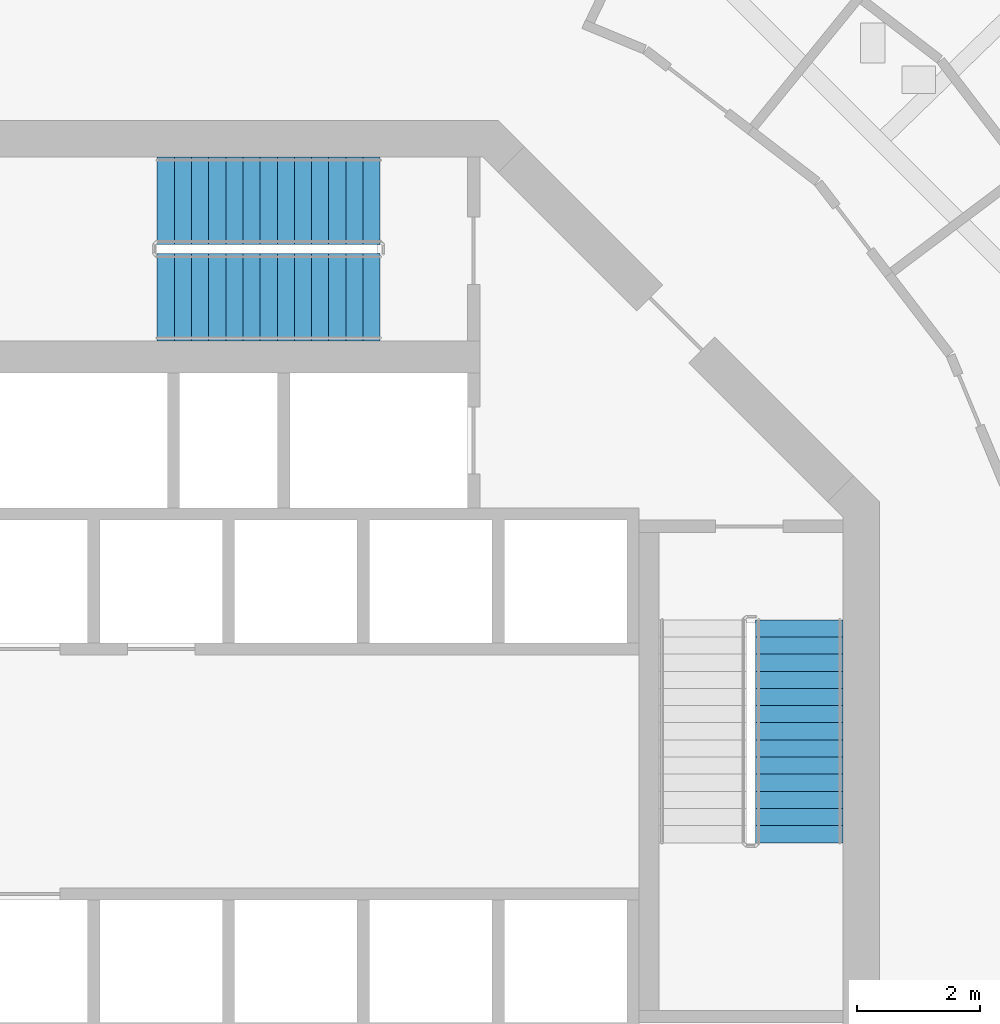
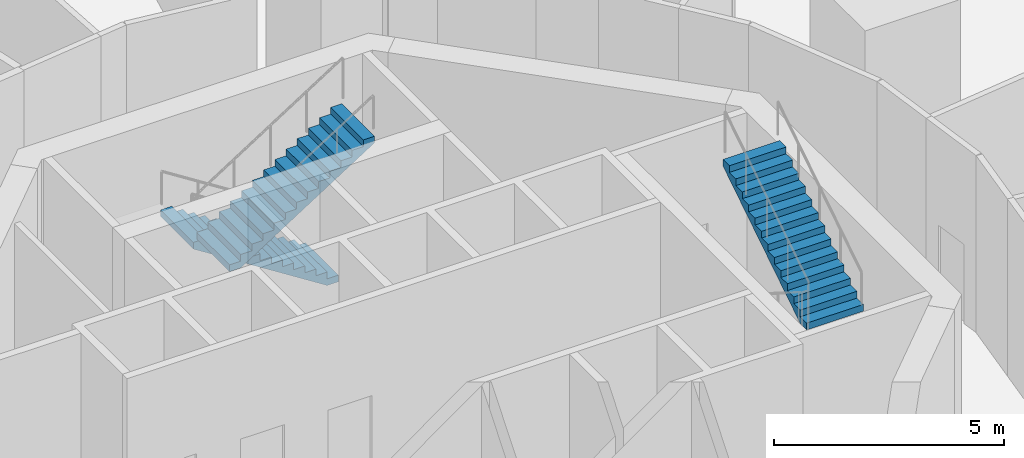
# One storey, part 45 of 48: 3 stair flights, 2 elements without a shape of their own.
"""IFC4 building model written with IfcOpenShell, lengths in metres."""

import ifcopenshell
import ifcopenshell.guid

model = None  # the IFC model being written
_history = None  # IfcOwnerHistory: only IFC2X3 demands one
_inside = {}  # id of a spatial element -> (the spatial element, [elements in it])
_under = {}  # id of a project, library or spatial element -> (it, [spatial elements below it])
_declared = {}  # id of a project -> (the project, [libraries it declares])
_typed = {}  # id of a type object -> (the type object, [elements of that type])
_made_of = {}  # id of a material, layer set ... -> (it, [elements and type objects made of it])


def new_model(schema):
    """Start an empty IFC model of exactly this schema.

    Asked for "IFC4X3", IfcOpenShell would pick the latest addendum, in which some entities
    have other attributes; the version numbers below select the first issue.
    IFC2X3 requires an IfcOwnerHistory on every rooted entity: one is made here for all.
    """
    global model, _history
    if schema == "IFC4X3":
        model = ifcopenshell.file(schema_version=(4, 3, 0, 0))
    else:
        model = ifcopenshell.file(schema=schema)
    _inside.clear()
    _under.clear()
    _declared.clear()
    _typed.clear()
    _made_of.clear()
    _history = None
    if model.schema == "IFC2X3":
        org = make("IfcOrganization", Name="unknown")
        user = make(
            "IfcPersonAndOrganization",
            ThePerson=make("IfcPerson", FamilyName="unknown"),
            TheOrganization=org,
        )
        app = make(
            "IfcApplication",
            ApplicationDeveloper=org,
            Version="unknown",
            ApplicationFullName="unknown",
            ApplicationIdentifier="unknown",
        )
        _history = make(
            "IfcOwnerHistory",
            OwningUser=user,
            OwningApplication=app,
            ChangeAction="ADDED",
            CreationDate=0,
        )
    return model


def make(cls, **values):
    """One entity of the class cls with the attributes given. An attribute that is None is left unset."""
    return model.create_entity(
        cls, **{name: value for name, value in values.items() if value is not None}
    )


def rooted(cls, **values):
    """An entity with a GlobalId (a new one), such as an element, a storey or a relation."""
    return make(cls, GlobalId=ifcopenshell.guid.new(), OwnerHistory=_history, **values)


def si_unit(unit_type, name, prefix=None):
    """IfcSIUnit, for example si_unit("LENGTHUNIT", "METRE", prefix="MILLI")."""
    return make("IfcSIUnit", UnitType=unit_type, Prefix=prefix, Name=name)


def assignment(units):
    """IfcUnitAssignment: the units of a project."""
    return None if units is None else make("IfcUnitAssignment", Units=units)


def point(xyz):
    """IfcCartesianPoint."""
    return None if xyz is None else make("IfcCartesianPoint", Coordinates=xyz)


def direction(xyz):
    """IfcDirection."""
    return None if xyz is None else make("IfcDirection", DirectionRatios=xyz)


def frame(location, z_axis=None, x_axis=None):
    """IfcAxis2Placement3D, a coordinate frame: its origin and axes. An axis left out is left unset."""
    return make(
        "IfcAxis2Placement3D",
        Location=point(location),
        Axis=direction(z_axis),
        RefDirection=direction(x_axis),
    )


def origin():
    """The frame at (0, 0, 0) with its axes left unset."""
    return frame((0.0, 0.0, 0.0))


def place(relative_to, where):
    """IfcLocalPlacement: puts the frame where relative to a parent placement (None: the world)."""
    return make(
        "IfcLocalPlacement", PlacementRelTo=relative_to, RelativePlacement=where
    )


def context(
    kind, dimensions, precision=None, world=None, true_north=None, identifier=None
):
    """IfcGeometricRepresentationContext, for example the 3D "Model" context."""
    return make(
        "IfcGeometricRepresentationContext",
        ContextIdentifier=identifier,
        ContextType=kind,
        CoordinateSpaceDimension=dimensions,
        Precision=precision,
        WorldCoordinateSystem=world,
        TrueNorth=true_north,
    )


def subcontext(parent, identifier, kind, view, scale=None):
    """IfcGeometricRepresentationSubContext, for example "Body" below "Model"."""
    return make(
        "IfcGeometricRepresentationSubContext",
        ContextIdentifier=identifier,
        ContextType=kind,
        ParentContext=parent,
        TargetScale=scale,
        TargetView=view,
    )


def project(units=None, contexts=None):
    """IfcProject with its units and contexts."""
    return rooted(
        "IfcProject",
        Name="project",
        RepresentationContexts=contexts,
        UnitsInContext=assignment(units),
    )


def spatial(cls, under=None, at=None, **own):
    """A site, building, storey or space (cls), placed at a placement, below another one or the project."""
    s = rooted(cls, ObjectPlacement=at, **own)
    if under is not None:
        _under.setdefault(under.id(), (under, []))[1].append(s)
    return s


def polyline(points):
    """IfcPolyline through the points."""
    return make("IfcPolyline", Points=[point(p) for p in points])


def outline(outer, holes=None, kind="AREA"):
    """IfcArbitraryClosedProfileDef: a profile drawn as a closed curve; with holes, ...WithVoids."""
    if holes is None:
        return make("IfcArbitraryClosedProfileDef", ProfileType=kind, OuterCurve=outer)
    return make(
        "IfcArbitraryProfileDefWithVoids",
        ProfileType=kind,
        OuterCurve=outer,
        InnerCurves=holes,
    )


def extrude(swept, where, along, depth):
    """IfcExtrudedAreaSolid: the profile swept, set in the frame where, extruded along a direction by depth."""
    return make(
        "IfcExtrudedAreaSolid",
        SweptArea=swept,
        Position=where,
        ExtrudedDirection=direction(along),
        Depth=depth,
    )


def shape(context_of_items, identifier, shape_type, items):
    """IfcShapeRepresentation: the items that make up one representation, for example the "Body"."""
    return make(
        "IfcShapeRepresentation",
        ContextOfItems=context_of_items,
        RepresentationIdentifier=identifier,
        RepresentationType=shape_type,
        Items=items,
    )


def material(Name=None, Category=None):
    """IfcMaterial."""
    return make("IfcMaterial", Name=Name, Category=Category)


def made_of(thing, what):
    """Note that an element or type object is made of a material, layer set ...; save() writes the relation."""
    if what is not None:
        _made_of.setdefault(what.id(), (what, []))[1].append(thing)
    return thing


def type_object(cls, material=None, **own):
    """A type object (cls), such as IfcWallType, which elements share."""
    return made_of(rooted(cls, **own), material)


def element(
    cls,
    number,
    at=None,
    inside=None,
    cuts=None,
    type_object=None,
    material=None,
    context=None,
    identifier="Body",
    shape_type=None,
    held_by="IfcProductDefinitionShape",
    body=None,
    shapes=None,
    **own,
):
    """One element of the class cls, such as IfcWall. Its Tag is "e" and its number.

    at: its placement. inside: the storey or other place that contains it. cuts: it is an
    opening in that element (IfcRelVoidsElement). A single representation is given by context,
    identifier, shape_type and body (its items); several are given by shapes. held_by: the class
    of the entity that holds the representations. save() writes the other relations.
    """
    e = rooted(cls, Tag="e%d" % number, ObjectPlacement=at, **own)
    if body is not None:
        shapes = [shape(context, identifier, shape_type, body)]
    if shapes is not None:
        e.Representation = make(held_by, Representations=shapes)
    if inside is not None:
        _inside.setdefault(inside.id(), (inside, []))[1].append(e)
    if cuts is not None:
        rooted(
            "IfcRelVoidsElement", RelatingBuildingElement=cuts, RelatedOpeningElement=e
        )
    if type_object is not None:
        _typed.setdefault(type_object.id(), (type_object, []))[1].append(e)
    return made_of(e, material)


def aggregate(whole, parts):
    """IfcRelAggregates: a whole, such as a stair, and the parts it consists of."""
    return rooted("IfcRelAggregates", RelatingObject=whole, RelatedObjects=parts)


def save(model, path):
    """Write the relations noted so far, then the file.

    IfcRelAggregates (storeys below a building ...), IfcRelContainedInSpatialStructure (elements
    in a storey), IfcRelDefinesByType, IfcRelAssociatesMaterial and IfcRelDeclares: one each for
    every whole, place, type object, material and project.
    """
    for whole, parts in _under.values():
        aggregate(whole, parts)
    for where, things in _inside.values():
        rooted(
            "IfcRelContainedInSpatialStructure",
            RelatedElements=things,
            RelatingStructure=where,
        )
    for kind, things in _typed.values():
        rooted("IfcRelDefinesByType", RelatedObjects=things, RelatingType=kind)
    for what, things in _made_of.values():
        rooted("IfcRelAssociatesMaterial", RelatedObjects=things, RelatingMaterial=what)
    for by, libraries in _declared.values():
        rooted("IfcRelDeclares", RelatingContext=by, RelatedDefinitions=libraries)
    model.write(path)


model = new_model("IFC4")

# Units and contexts
model_context = context("Model", 3, precision=1e-05, world=origin(), true_north=direction((0.0, 1.0)))
body_context = subcontext(model_context, "Body", "Model", "MODEL_VIEW")
ifc_project = project(units=[si_unit("LENGTHUNIT", "METRE"), si_unit("AREAUNIT", "SQUARE_METRE"), si_unit("VOLUMEUNIT", "CUBIC_METRE"), si_unit("PLANEANGLEUNIT", "RADIAN"), si_unit("MASSUNIT", "GRAM", prefix="KILO")], contexts=[model_context])

# Site, building, storey
site_placement = place(None, origin())
site = spatial("IfcSite", under=ifc_project, at=site_placement, CompositionType="ELEMENT")
building_placement = place(site_placement, origin())
building = spatial("IfcBuilding", under=site, at=building_placement, Name="Nagisa Residences", CompositionType="ELEMENT")
storey_placement = place(building_placement, frame((0.0, 0.0, 12.0)))
storey = spatial("IfcBuildingStorey", under=building, at=storey_placement, Name="L02", CompositionType="ELEMENT", Elevation=12.0)

# Stair, stair flight
ifc_material_1 = material(Name="Concrete C60", Category="concrete")
stair_type = type_object("IfcStairType", Name="Exit stair", PredefinedType="HALF_TURN_STAIR", material=ifc_material_1)
stair_1_placement = place(storey_placement, origin())
stair_1 = element("IfcStair", 1, at=stair_1_placement, inside=storey, type_object=stair_type, Name="L02 Exit stair E", PredefinedType="HALF_TURN_STAIR")
ifc_material_2 = material(Name="Concrete C60", Category="concrete")
stair_flight_type = type_object("IfcStairFlightType", Name="Exit stair flight", PredefinedType="STRAIGHT", material=ifc_material_2)
stair_flight_1_placement = place(storey_placement, frame((9.31201171875, -1.1650390625, 2.5), z_axis=(0.0, 0.0, 1.0), x_axis=(0.0, 1.0, 0.0)))
stair_flight_1 = element("IfcStairFlight", 2, at=stair_flight_1_placement, type_object=stair_flight_type, Name="ST-E flight 2", NumberOfRisers=14, NumberOfTreads=13, PredefinedType="STRAIGHT", RiserHeight=0.178571429, TreadLength=0.28, context=body_context, shape_type="SweptSolid", body=[
    extrude(outline(polyline([(0.0, 0.0), (0.0, 0.178466796875), (0.280029296875, 0.178466796875), (0.280029296875, 0.357177734375), (0.56005859375, 0.357177734375), (0.56005859375, 0.53564453125), (0.840087890625, 0.53564453125), (0.840087890625, 0.71435546875), (1.1201171875, 0.71435546875), (1.1201171875, 0.892822265625), (1.39990234375, 0.892822265625), (1.39990234375, 1.071533203125), (1.679931640625, 1.071533203125), (1.679931640625, 1.25), (1.9599609375, 1.25), (1.9599609375, 1.428466796875), (2.239990234375, 1.428466796875), (2.239990234375, 1.607177734375), (2.52001953125, 1.607177734375), (2.52001953125, 1.78564453125), (2.800048828125, 1.78564453125), (2.800048828125, 1.96435546875), (3.080078125, 1.96435546875), (3.080078125, 2.142822265625), (3.360107421875, 2.142822265625), (3.360107421875, 2.321533203125), (3.639892578125, 2.321533203125), (3.639892578125, 2.5), (3.639892578125, 2.1435546875), (0.27880859375, 0.0), (0.0, 0.0)])), frame((0.0, 0.71240234375, 0.0), z_axis=(0.0, -1.0, 0.0), x_axis=(1.0, 0.0, 0.0)), (0.0, 0.0, 1.0), 1.425048828125),
])
aggregate(stair_1, [stair_flight_1])

# Stair, stair flights
stair_2_placement = place(storey_placement, origin())
stair_2 = element("IfcStair", 3, at=stair_2_placement, inside=storey, type_object=stair_type, Name="L02 Exit stair N", PredefinedType="HALF_TURN_STAIR")
stair_flight_2_placement = place(storey_placement, frame((2.47509765625, 9.31201171875, 0.0), z_axis=(0.0, 0.0, 1.0), x_axis=(-1.0, 0.0, 0.0)))
stair_flight_2 = element("IfcStairFlight", 4, at=stair_flight_2_placement, type_object=stair_flight_type, Name="ST-N flight 1", NumberOfRisers=14, NumberOfTreads=13, PredefinedType="STRAIGHT", RiserHeight=0.178571429, TreadLength=0.28, context=body_context, shape_type="SweptSolid", body=[
    extrude(outline(polyline([(0.0, 0.0), (0.0, 0.178466796875), (0.280029296875, 0.178466796875), (0.280029296875, 0.357177734375), (0.56005859375, 0.357177734375), (0.56005859375, 0.53564453125), (0.840087890625, 0.53564453125), (0.840087890625, 0.71435546875), (1.1201171875, 0.71435546875), (1.1201171875, 0.892822265625), (1.39990234375, 0.892822265625), (1.39990234375, 1.071533203125), (1.679931640625, 1.071533203125), (1.679931640625, 1.25), (1.9599609375, 1.25), (1.9599609375, 1.428466796875), (2.239990234375, 1.428466796875), (2.239990234375, 1.607177734375), (2.52001953125, 1.607177734375), (2.52001953125, 1.78564453125), (2.800048828125, 1.78564453125), (2.800048828125, 1.96435546875), (3.080078125, 1.96435546875), (3.080078125, 2.142822265625), (3.360107421875, 2.142822265625), (3.360107421875, 2.321533203125), (3.639892578125, 2.321533203125), (3.639892578125, 2.5), (3.639892578125, 2.1435546875), (0.27880859375, 0.0), (0.0, 0.0)])), frame((0.0, 0.71240234375, 0.0), z_axis=(0.0, -1.0, 0.0), x_axis=(1.0, 0.0, 0.0)), (0.0, 0.0, 1.0), 1.425048828125),
])
stair_flight_3_placement = place(storey_placement, frame((-1.1650390625, 7.737060546875, 2.5), z_axis=(0.0, 0.0, 1.0), x_axis=(1.0, 0.0, 0.0)))
stair_flight_3 = element("IfcStairFlight", 5, at=stair_flight_3_placement, type_object=stair_flight_type, Name="ST-N flight 2", NumberOfRisers=14, NumberOfTreads=13, PredefinedType="STRAIGHT", RiserHeight=0.178571429, TreadLength=0.28, context=body_context, shape_type="SweptSolid", body=[
    extrude(outline(polyline([(0.0, 0.0), (0.0, 0.178466796875), (0.280029296875, 0.178466796875), (0.280029296875, 0.357177734375), (0.56005859375, 0.357177734375), (0.56005859375, 0.53564453125), (0.840087890625, 0.53564453125), (0.840087890625, 0.71435546875), (1.1201171875, 0.71435546875), (1.1201171875, 0.892822265625), (1.39990234375, 0.892822265625), (1.39990234375, 1.071533203125), (1.679931640625, 1.071533203125), (1.679931640625, 1.25), (1.9599609375, 1.25), (1.9599609375, 1.428466796875), (2.239990234375, 1.428466796875), (2.239990234375, 1.607177734375), (2.52001953125, 1.607177734375), (2.52001953125, 1.78564453125), (2.800048828125, 1.78564453125), (2.800048828125, 1.96435546875), (3.080078125, 1.96435546875), (3.080078125, 2.142822265625), (3.360107421875, 2.142822265625), (3.360107421875, 2.321533203125), (3.639892578125, 2.321533203125), (3.639892578125, 2.5), (3.639892578125, 2.1435546875), (0.27880859375, 0.0), (0.0, 0.0)])), frame((0.0, 0.71240234375, 0.0), z_axis=(0.0, -1.0, 0.0), x_axis=(1.0, 0.0, 0.0)), (0.0, 0.0, 1.0), 1.425048828125),
])
aggregate(stair_2, [stair_flight_2, stair_flight_3])

save(model, "model.ifc")
